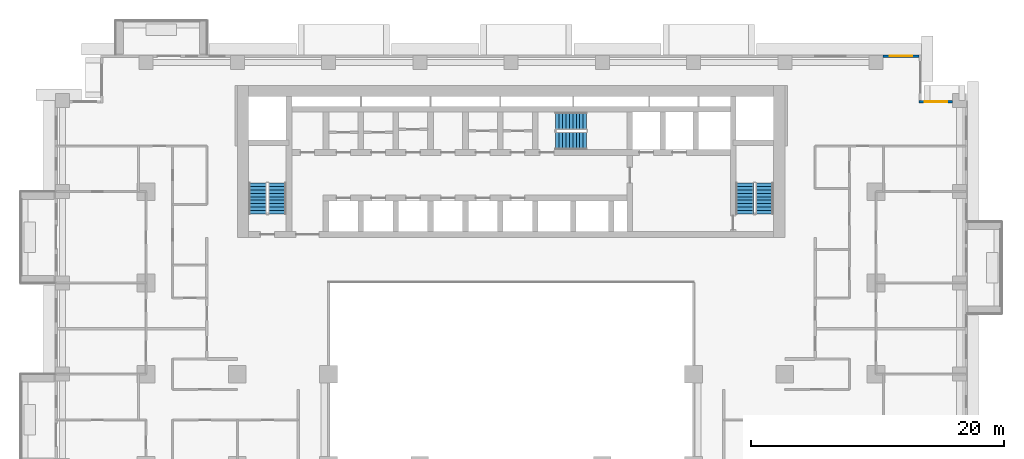
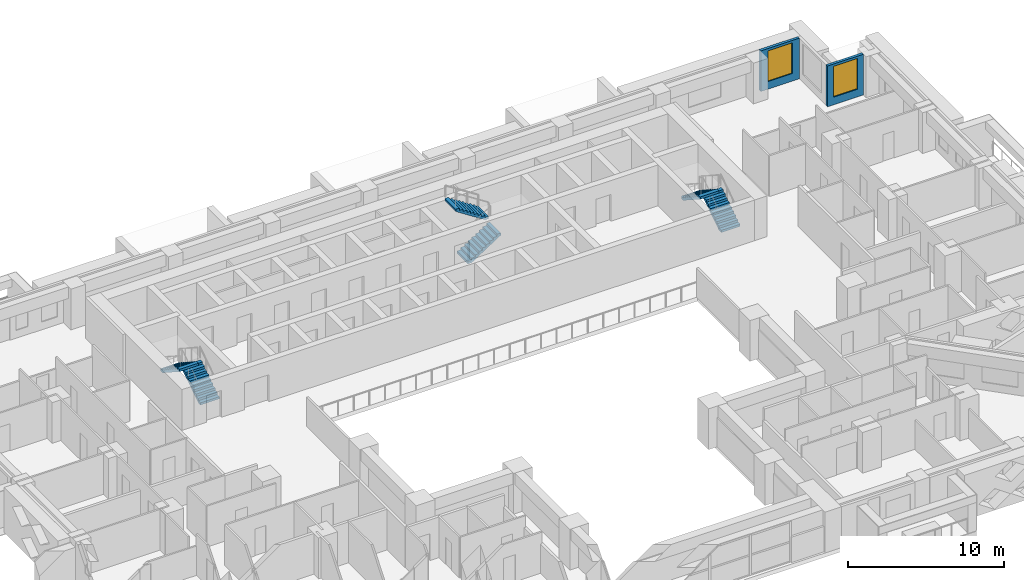
# One storey, part 13 of 17: 6 stair flights, 2 walls, 2 windows, 2 openings, 3 elements without a shape of their own.
"""IFC4 building model written with IfcOpenShell, lengths in metres."""

from ifc_helpers import new_model, si_unit, direction, frame, frame_2d, origin, place, context, subcontext, project, spatial, polyline, rectangle, outline, extrude, material, layer, layer_set, type_object, element, fill, aggregate, save


model = new_model("IFC4")

# Units and contexts
model_context = context("Model", 3, precision=1e-05, world=origin(), true_north=direction((0.0, 1.0)))
body_context = subcontext(model_context, "Body", "Model", "MODEL_VIEW")
ifc_project = project(units=[si_unit("LENGTHUNIT", "METRE"), si_unit("AREAUNIT", "SQUARE_METRE"), si_unit("VOLUMEUNIT", "CUBIC_METRE"), si_unit("PLANEANGLEUNIT", "RADIAN"), si_unit("MASSUNIT", "GRAM", prefix="KILO")], contexts=[model_context])

# Site, building, storey
site_placement = place(None, origin())
site = spatial("IfcSite", under=ifc_project, at=site_placement, CompositionType="ELEMENT")
building_placement = place(site_placement, origin())
building = spatial("IfcBuilding", under=site, at=building_placement, Name="Saffron Iwan Residences", CompositionType="ELEMENT")
storey_placement = place(building_placement, frame((0.0, 0.0, 58.5)))
storey = spatial("IfcBuildingStorey", under=building, at=storey_placement, Name="L14", CompositionType="ELEMENT", Elevation=58.5)

# Wall, opening, window
ifc_material_1 = material(Name="Concrete C40/50", Category="concrete")
ifc_layer_1 = layer(ifc_material_1, 0.199951171875)
ifc_layer_set_1 = layer_set([ifc_layer_1], Name="Concrete C40/50")
wall_type = type_object("IfcWallType", Name="EXTERNAL WALL 200", PredefinedType="SOLIDWALL", material=ifc_layer_set_1)
wall_1_placement = place(storey_placement, frame((85.25, 76.699951171875, 0.0), z_axis=(0.0, 0.0, 1.0), x_axis=(-1.0, 0.0, 0.0)))
wall_1 = element("IfcWall", 1, at=wall_1_placement, inside=storey, type_object=wall_type, Name="External wall L14 F3.0", PredefinedType="SOLIDWALL", context=body_context, shape_type="SweptSolid", body=[
    extrude(rectangle(XDim=2.64990234375, YDim=0.199951171875, at=frame_2d((1.324951171875, 0.0))), origin(), (0.0, 0.0, 1.0), 3.179931640625),
])
opening_1_placement = place(wall_1_placement, frame((0.425048828125, 0.0, 0.60009765625)))
opening_1 = element("IfcOpeningElement", 2, at=opening_1_placement, cuts=wall_1, Name="Opening W8", PredefinedType="OPENING", context=body_context, shape_type="SweptSolid", body=[
    extrude(rectangle(XDim=1.800048828125, YDim=2.39990234375, at=frame_2d((0.89990234375, 1.199951171875))), frame((0.0, 0.10986328125, 0.0), z_axis=(0.0, -1.0, 0.0), x_axis=(1.0, 0.0, 0.0)), (0.0, 0.0, 1.0), 0.219970703125),
])
ifc_material_2 = material(Name="Clear glass, laminated double glazed", Category="glass")
window_type = type_object("IfcWindowType", Name="WINDOW 1800 x 2400", PartitioningType="DOUBLE_PANEL_VERTICAL", PredefinedType="WINDOW", material=ifc_material_2)
window_1_placement = place(opening_1_placement, origin())
window_1 = element("IfcWindow", 3, at=window_1_placement, inside=storey, type_object=window_type, Name="Window L14 F3.0", OverallHeight=2.39990234375, OverallWidth=1.800048828125, PartitioningType="DOUBLE_PANEL_VERTICAL", PredefinedType="WINDOW", context=body_context, shape_type="SweptSolid", body=[
    extrude(rectangle(XDim=1.800048828125, YDim=2.39990234375, at=frame_2d((0.89990234375, 1.199951171875))), frame((0.0, 0.030029296875, 0.0), z_axis=(0.0, -1.0, 0.0), x_axis=(1.0, 0.0, 0.0)), (0.0, 0.0, 1.0), 0.06005859375),
])
fill(opening_1, window_1)

wall_2_placement = place(storey_placement, frame((82.60009765625, 80.300048828125, 0.0), z_axis=(0.0, 0.0, 1.0), x_axis=(-1.0, 0.0, 0.0)))
wall_2 = element("IfcWall", 4, at=wall_2_placement, inside=storey, type_object=wall_type, Name="External wall L14 F5.0", PredefinedType="SOLIDWALL", context=body_context, shape_type="SweptSolid", body=[
    extrude(rectangle(XDim=2.85009765625, YDim=0.199951171875, at=frame_2d((1.425048828125, 0.0))), origin(), (0.0, 0.0, 1.0), 3.179931640625),
])
opening_2_placement = place(wall_2_placement, frame((0.52490234375, 0.0, 0.60009765625)))
opening_2 = element("IfcOpeningElement", 5, at=opening_2_placement, cuts=wall_2, Name="Opening W8", PredefinedType="OPENING", context=body_context, shape_type="SweptSolid", body=[
    extrude(rectangle(XDim=1.800048828125, YDim=2.39990234375, at=frame_2d((0.89990234375, 1.199951171875))), frame((0.0, 0.10986328125, 0.0), z_axis=(0.0, -1.0, 0.0), x_axis=(1.0, 0.0, 0.0)), (0.0, 0.0, 1.0), 0.219970703125),
])
window_2_placement = place(opening_2_placement, origin())
window_2 = element("IfcWindow", 6, at=window_2_placement, inside=storey, type_object=window_type, Name="Window L14 F5.0", OverallHeight=2.39990234375, OverallWidth=1.800048828125, PartitioningType="DOUBLE_PANEL_VERTICAL", PredefinedType="WINDOW", context=body_context, shape_type="SweptSolid", body=[
    extrude(rectangle(XDim=1.800048828125, YDim=2.39990234375, at=frame_2d((0.89990234375, 1.199951171875))), frame((0.0, 0.030029296875, 0.0), z_axis=(0.0, -1.0, 0.0), x_axis=(1.0, 0.0, 0.0)), (0.0, 0.0, 1.0), 0.06005859375),
])
fill(opening_2, window_2)

# Stair, stair flights
ifc_material_3 = material(Name="Concrete C50/60", Category="concrete")
stair_type = type_object("IfcStairType", Name="Stair ST-CORE", PredefinedType="HALF_TURN_STAIR", material=ifc_material_3)
stair_1_placement = place(storey_placement, origin())
stair_1 = element("IfcStair", 7, at=stair_1_placement, inside=storey, type_object=stair_type, Name="L14 Exit Stair ST-W", PredefinedType="HALF_TURN_STAIR")
ifc_layer_2 = layer(ifc_material_3, 0.14990234375)
ifc_layer_set_2 = layer_set([ifc_layer_2], Name="Concrete C50/60")
stair_flight_type = type_object("IfcStairFlightType", Name="Stair flight SFL-RC", PredefinedType="STRAIGHT", material=ifc_layer_set_2)
stair_flight_1_placement = place(storey_placement, frame((31.949951171875, 67.85009765625, 0.0), z_axis=(0.0, 0.0, 1.0), x_axis=(0.0, 1.0, 0.0)))
stair_flight_1 = element("IfcStairFlight", 8, at=stair_flight_1_placement, type_object=stair_flight_type, Name="ST-W flight 1", NumberOfRisers=10, NumberOfTreads=9, PredefinedType="STRAIGHT", RiserHeight=0.175, TreadLength=0.27, context=body_context, shape_type="SweptSolid", body=[
    extrude(outline(polyline([(0.0, 0.0), (0.0, 0.175048828125), (0.27001953125, 0.175048828125), (0.27001953125, 0.35009765625), (0.5400390625, 0.35009765625), (0.5400390625, 0.52490234375), (0.81005859375, 0.52490234375), (0.81005859375, 0.699951171875), (1.080078125, 0.699951171875), (1.080078125, 0.875), (1.35009765625, 0.875), (1.35009765625, 1.050048828125), (1.6201171875, 1.050048828125), (1.6201171875, 1.22509765625), (1.889892578125, 1.22509765625), (1.889892578125, 1.39990234375), (2.159912109375, 1.39990234375), (2.159912109375, 1.574951171875), (2.429931640625, 1.574951171875), (2.429931640625, 1.75), (2.429931640625, 1.396484375), (0.275634765625, 0.0), (0.0, 0.0)])), frame((0.0, 0.699951171875, 0.0), z_axis=(0.0, -1.0, 0.0), x_axis=(1.0, 0.0, 0.0)), (0.0, 0.0, 1.0), 1.39990234375),
])
stair_flight_2_placement = place(storey_placement, frame((30.39990234375, 70.280029296875, 1.75), z_axis=(0.0, 0.0, 1.0), x_axis=(0.0, -1.0, 0.0)))
stair_flight_2 = element("IfcStairFlight", 9, at=stair_flight_2_placement, type_object=stair_flight_type, Name="ST-W flight 2", NumberOfRisers=10, NumberOfTreads=9, PredefinedType="STRAIGHT", RiserHeight=0.175, TreadLength=0.27, context=body_context, shape_type="SweptSolid", body=[
    extrude(outline(polyline([(0.0, 0.0), (0.0, 0.175048828125), (0.27001953125, 0.175048828125), (0.27001953125, 0.35009765625), (0.5400390625, 0.35009765625), (0.5400390625, 0.52490234375), (0.81005859375, 0.52490234375), (0.81005859375, 0.699951171875), (1.080078125, 0.699951171875), (1.080078125, 0.875), (1.35009765625, 0.875), (1.35009765625, 1.050048828125), (1.6201171875, 1.050048828125), (1.6201171875, 1.22509765625), (1.889892578125, 1.22509765625), (1.889892578125, 1.39990234375), (2.159912109375, 1.39990234375), (2.159912109375, 1.574951171875), (2.429931640625, 1.574951171875), (2.429931640625, 1.75), (2.429931640625, 1.396484375), (0.275634765625, 0.0), (0.0, 0.0)])), frame((0.0, 0.699951171875, 0.0), z_axis=(0.0, -1.0, 0.0), x_axis=(1.0, 0.0, 0.0)), (0.0, 0.0, 1.0), 1.39990234375),
])
aggregate(stair_1, [stair_flight_1, stair_flight_2])

stair_2_placement = place(storey_placement, origin())
stair_2 = element("IfcStair", 10, at=stair_2_placement, inside=storey, type_object=stair_type, Name="L14 Exit Stair ST-C", PredefinedType="HALF_TURN_STAIR")
stair_flight_3_placement = place(storey_placement, frame((53.925048828125, 73.625, 0.0), z_axis=(0.0, 0.0, 1.0), x_axis=(1.0, 0.0, 0.0)))
stair_flight_3 = element("IfcStairFlight", 11, at=stair_flight_3_placement, type_object=stair_flight_type, Name="ST-C flight 1", NumberOfRisers=10, NumberOfTreads=9, PredefinedType="STRAIGHT", RiserHeight=0.175, TreadLength=0.27, context=body_context, shape_type="SweptSolid", body=[
    extrude(outline(polyline([(0.0, 0.0), (0.0, 0.175048828125), (0.27001953125, 0.175048828125), (0.27001953125, 0.35009765625), (0.5400390625, 0.35009765625), (0.5400390625, 0.52490234375), (0.81005859375, 0.52490234375), (0.81005859375, 0.699951171875), (1.080078125, 0.699951171875), (1.080078125, 0.875), (1.35009765625, 0.875), (1.35009765625, 1.050048828125), (1.6201171875, 1.050048828125), (1.6201171875, 1.22509765625), (1.889892578125, 1.22509765625), (1.889892578125, 1.39990234375), (2.159912109375, 1.39990234375), (2.159912109375, 1.574951171875), (2.429931640625, 1.574951171875), (2.429931640625, 1.75), (2.429931640625, 1.396484375), (0.275634765625, 0.0), (0.0, 0.0)])), frame((0.0, 0.699951171875, 0.0), z_axis=(0.0, -1.0, 0.0), x_axis=(1.0, 0.0, 0.0)), (0.0, 0.0, 1.0), 1.39990234375),
])
stair_flight_4_placement = place(storey_placement, frame((56.35498046875, 75.175048828125, 1.75), z_axis=(0.0, 0.0, 1.0), x_axis=(-1.0, 0.0, 0.0)))
stair_flight_4 = element("IfcStairFlight", 12, at=stair_flight_4_placement, type_object=stair_flight_type, Name="ST-C flight 2", NumberOfRisers=10, NumberOfTreads=9, PredefinedType="STRAIGHT", RiserHeight=0.175, TreadLength=0.27, context=body_context, shape_type="SweptSolid", body=[
    extrude(outline(polyline([(0.0, 0.0), (0.0, 0.175048828125), (0.27001953125, 0.175048828125), (0.27001953125, 0.35009765625), (0.5400390625, 0.35009765625), (0.5400390625, 0.52490234375), (0.81005859375, 0.52490234375), (0.81005859375, 0.699951171875), (1.080078125, 0.699951171875), (1.080078125, 0.875), (1.35009765625, 0.875), (1.35009765625, 1.050048828125), (1.6201171875, 1.050048828125), (1.6201171875, 1.22509765625), (1.889892578125, 1.22509765625), (1.889892578125, 1.39990234375), (2.159912109375, 1.39990234375), (2.159912109375, 1.574951171875), (2.429931640625, 1.574951171875), (2.429931640625, 1.75), (2.429931640625, 1.396484375), (0.275634765625, 0.0), (0.0, 0.0)])), frame((0.0, 0.699951171875, 0.0), z_axis=(0.0, -1.0, 0.0), x_axis=(1.0, 0.0, 0.0)), (0.0, 0.0, 1.0), 1.39990234375),
])
aggregate(stair_2, [stair_flight_3, stair_flight_4])

stair_3_placement = place(storey_placement, origin())
stair_3 = element("IfcStair", 13, at=stair_3_placement, inside=storey, type_object=stair_type, Name="L14 Exit Stair ST-E", PredefinedType="HALF_TURN_STAIR")
stair_flight_5_placement = place(storey_placement, frame((70.39990234375, 67.85009765625, 0.0), z_axis=(0.0, 0.0, 1.0), x_axis=(0.0, 1.0, 0.0)))
stair_flight_5 = element("IfcStairFlight", 14, at=stair_flight_5_placement, type_object=stair_flight_type, Name="ST-E flight 1", NumberOfRisers=10, NumberOfTreads=9, PredefinedType="STRAIGHT", RiserHeight=0.175, TreadLength=0.27, context=body_context, shape_type="SweptSolid", body=[
    extrude(outline(polyline([(0.0, 0.0), (0.0, 0.175048828125), (0.27001953125, 0.175048828125), (0.27001953125, 0.35009765625), (0.5400390625, 0.35009765625), (0.5400390625, 0.52490234375), (0.81005859375, 0.52490234375), (0.81005859375, 0.699951171875), (1.080078125, 0.699951171875), (1.080078125, 0.875), (1.35009765625, 0.875), (1.35009765625, 1.050048828125), (1.6201171875, 1.050048828125), (1.6201171875, 1.22509765625), (1.889892578125, 1.22509765625), (1.889892578125, 1.39990234375), (2.159912109375, 1.39990234375), (2.159912109375, 1.574951171875), (2.429931640625, 1.574951171875), (2.429931640625, 1.75), (2.429931640625, 1.396484375), (0.275634765625, 0.0), (0.0, 0.0)])), frame((0.0, 0.699951171875, 0.0), z_axis=(0.0, -1.0, 0.0), x_axis=(1.0, 0.0, 0.0)), (0.0, 0.0, 1.0), 1.39990234375),
])
stair_flight_6_placement = place(storey_placement, frame((68.85009765625, 70.280029296875, 1.75), z_axis=(0.0, 0.0, 1.0), x_axis=(0.0, -1.0, 0.0)))
stair_flight_6 = element("IfcStairFlight", 15, at=stair_flight_6_placement, type_object=stair_flight_type, Name="ST-E flight 2", NumberOfRisers=10, NumberOfTreads=9, PredefinedType="STRAIGHT", RiserHeight=0.175, TreadLength=0.27, context=body_context, shape_type="SweptSolid", body=[
    extrude(outline(polyline([(0.0, 0.0), (0.0, 0.175048828125), (0.27001953125, 0.175048828125), (0.27001953125, 0.35009765625), (0.5400390625, 0.35009765625), (0.5400390625, 0.52490234375), (0.81005859375, 0.52490234375), (0.81005859375, 0.699951171875), (1.080078125, 0.699951171875), (1.080078125, 0.875), (1.35009765625, 0.875), (1.35009765625, 1.050048828125), (1.6201171875, 1.050048828125), (1.6201171875, 1.22509765625), (1.889892578125, 1.22509765625), (1.889892578125, 1.39990234375), (2.159912109375, 1.39990234375), (2.159912109375, 1.574951171875), (2.429931640625, 1.574951171875), (2.429931640625, 1.75), (2.429931640625, 1.396484375), (0.275634765625, 0.0), (0.0, 0.0)])), frame((0.0, 0.699951171875, 0.0), z_axis=(0.0, -1.0, 0.0), x_axis=(1.0, 0.0, 0.0)), (0.0, 0.0, 1.0), 1.39990234375),
])
aggregate(stair_3, [stair_flight_5, stair_flight_6])

save(model, "model.ifc")
